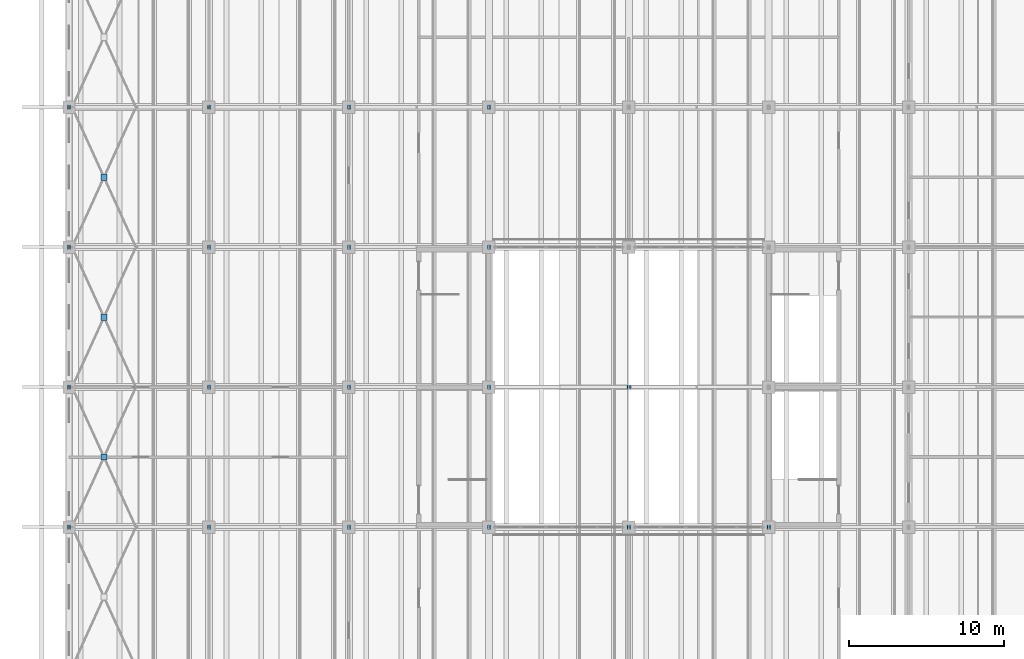
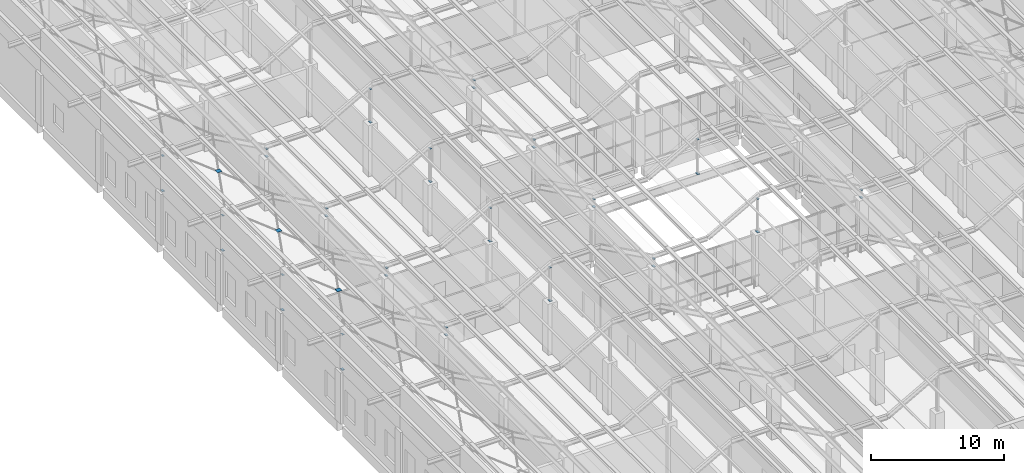
# One storey, part 344 of 437: 41 discrete accessories.
"""IFC4 building model written with IfcOpenShell, lengths in metres."""

from ifc_helpers import new_model, si_unit, direction, frame, origin, origin_2d, place, context, subcontext, project, spatial, rectangle, extrude, material, layer, layer_set, type_object, element, save


model = new_model("IFC4")

# Units and contexts
model_context = context("Model", 3, precision=1e-05, world=origin(), true_north=direction((0.0, 1.0)))
body_context = subcontext(model_context, "Body", "Model", "MODEL_VIEW")
ifc_project = project(units=[si_unit("LENGTHUNIT", "METRE"), si_unit("AREAUNIT", "SQUARE_METRE"), si_unit("VOLUMEUNIT", "CUBIC_METRE"), si_unit("PLANEANGLEUNIT", "RADIAN"), si_unit("MASSUNIT", "GRAM", prefix="KILO")], contexts=[model_context])

# Site, building, storey
site_placement = place(None, origin())
site = spatial("IfcSite", under=ifc_project, at=site_placement, CompositionType="ELEMENT")
building_placement = place(site_placement, origin())
building = spatial("IfcBuilding", under=site, at=building_placement, Name="Opaline Strait Convention Centre", CompositionType="ELEMENT")
storey_placement = place(building_placement, frame((0.0, 0.0, 11.5)))
storey = spatial("IfcBuildingStorey", under=building, at=storey_placement, Name="L02", CompositionType="ELEMENT", Elevation=11.5)

# Discrete accessories
ifc_material = material(Name="Steel Q355B", Category="steel")
ifc_layer_1 = layer(ifc_material, 0.02001953125)
ifc_layer_set_1 = layer_set([ifc_layer_1], Name="Steel Q355B")
discrete_accessory_type_1 = type_object("IfcDiscreteAccessoryType", Name="Roof post base plate 300 x 200 x 20", PredefinedType="ANCHORPLATE", material=ifc_layer_set_1)
for number, where, z_axis, x_axis, name in (
    (1, (9.0, 45.0, 4.669921875), (0.0, 0.0, 1.0), (1.0, 0.0, 0.0), "Roof post base plate at 9/45"),
    (2, (18.0, 45.0, 4.669921875), (0.0, 0.0, 1.0), (1.0, 0.0, 0.0), "Roof post base plate at 18/45"),
    (3, (27.0, 45.0, 4.669921875), (0.0, 0.0, 1.0), (1.0, 0.0, 0.0), "Roof post base plate at 27/45"),
    (4, (36.0, 45.0, 4.669921875), (0.0, 0.0, 1.0), (1.0, 0.0, 0.0), "Roof post base plate at 36/45"),
    (5, (45.0, 45.0, 4.669921875), (0.0, 0.0, 1.0), (1.0, 0.0, 0.0), "Roof post base plate at 45/45"),
    (6, (54.0, 45.0, 4.669921875), (0.0, 0.0, 1.0), (1.0, 0.0, 0.0), "Roof post base plate at 54/45"),
    (7, (9.0, 54.0, 4.669921875), (0.0, 0.0, 1.0), (1.0, 0.0, 0.0), "Roof post base plate at 9/54"),
    (8, (18.0, 54.0, 4.669921875), (0.0, 0.0, 1.0), (1.0, 0.0, 0.0), "Roof post base plate at 18/54"),
    (9, (27.0, 54.0, 4.669921875), (0.0, 0.0, 1.0), (1.0, 0.0, 0.0), "Roof post base plate at 27/54"),
    (10, (36.0, 54.0, 4.669921875), (0.0, 0.0, 1.0), (1.0, 0.0, 0.0), "Roof post base plate at 36/54"),
    (11, (45.0, 54.0, 4.550048828125), (0.0, 0.0, 1.0), (1.0, 0.0, 0.0), "Roof post base plate at 45/54"),
    (12, (9.0, 63.0, 4.669921875), (0.0, 0.0, 1.0), (1.0, 0.0, 0.0), "Roof post base plate at 9/63"),
    (13, (18.0, 63.0, 4.669921875), (0.0, 0.0, 1.0), (1.0, 0.0, 0.0), "Roof post base plate at 18/63"),
    (14, (27.0, 63.0, 4.669921875), (0.0, 0.0, 1.0), (1.0, 0.0, 0.0), "Roof post base plate at 27/63"),
    (15, (36.0, 63.0, 4.669921875), (0.0, 0.0, 1.0), (1.0, 0.0, 0.0), "Roof post base plate at 36/63"),
    (16, (9.0, 72.0, 4.669921875), (0.0, 0.0, 1.0), (1.0, 0.0, 0.0), "Roof post base plate at 9/72"),
    (17, (18.0, 72.0, 4.669921875), (0.0, 0.0, 1.0), (1.0, 0.0, 0.0), "Roof post base plate at 18/72"),
    (18, (27.0, 72.0, 4.669921875), (0.0, 0.0, 1.0), (1.0, 0.0, 0.0), "Roof post base plate at 27/72"),
    (19, (36.0, 72.0, 4.669921875), (0.0, 0.0, 1.0), (1.0, 0.0, 0.0), "Roof post base plate at 36/72"),
):
    element("IfcDiscreteAccessory", number, at=place(storey_placement, frame(where, z_axis=z_axis, x_axis=x_axis)), inside=storey, type_object=discrete_accessory_type_1, Name=name, PredefinedType="ANCHORPLATE", context=body_context, shape_type="SweptSolid", body=[
        extrude(rectangle(XDim=0.199951171875, YDim=0.300048828125, at=origin_2d()), origin(), (0.0, 0.0, 1.0), 0.02001953125),
    ])
ifc_layer_2 = layer(ifc_material, 0.014892578125)
ifc_layer_set_2 = layer_set([ifc_layer_2], Name="Steel Q355B")
discrete_accessory_type_2 = type_object("IfcDiscreteAccessoryType", Name="Roof post cap plate 250 x 150 x 15", PredefinedType="ANCHORPLATE", material=ifc_layer_set_2)
for number, where, z_axis, x_axis, name in (
    (20, (9.0, 45.0, 7.88525390625), (0.0, 0.0, 1.0), (1.0, 0.0, 0.0), "Roof post cap plate at 9/45"),
    (21, (18.0, 45.0, 5.38525390625), (0.0, 0.0, 1.0), (1.0, 0.0, 0.0), "Roof post cap plate at 18/45"),
    (22, (27.0, 45.0, 7.72119140625), (0.0, 0.0, 1.0), (1.0, 0.0, 0.0), "Roof post cap plate at 27/45"),
    (23, (36.0, 45.0, 5.38525390625), (0.0, 0.0, 1.0), (1.0, 0.0, 0.0), "Roof post cap plate at 36/45"),
    (24, (45.0, 45.0, 7.72119140625), (0.0, 0.0, 1.0), (1.0, 0.0, 0.0), "Roof post cap plate at 45/45"),
    (25, (54.0, 45.0, 5.38525390625), (0.0, 0.0, 1.0), (1.0, 0.0, 0.0), "Roof post cap plate at 54/45"),
    (26, (9.0, 54.0, 7.88525390625), (0.0, 0.0, 1.0), (1.0, 0.0, 0.0), "Roof post cap plate at 9/54"),
    (27, (18.0, 54.0, 5.38525390625), (0.0, 0.0, 1.0), (1.0, 0.0, 0.0), "Roof post cap plate at 18/54"),
    (28, (27.0, 54.0, 7.72119140625), (0.0, 0.0, 1.0), (1.0, 0.0, 0.0), "Roof post cap plate at 27/54"),
    (29, (36.0, 54.0, 5.38525390625), (0.0, 0.0, 1.0), (1.0, 0.0, 0.0), "Roof post cap plate at 36/54"),
    (30, (45.0, 54.0, 7.72119140625), (0.0, 0.0, 1.0), (1.0, 0.0, 0.0), "Roof post cap plate at 45/54"),
    (31, (9.0, 63.0, 7.88525390625), (0.0, 0.0, 1.0), (1.0, 0.0, 0.0), "Roof post cap plate at 9/63"),
    (32, (18.0, 63.0, 5.38525390625), (0.0, 0.0, 1.0), (1.0, 0.0, 0.0), "Roof post cap plate at 18/63"),
    (33, (27.0, 63.0, 7.72119140625), (0.0, 0.0, 1.0), (1.0, 0.0, 0.0), "Roof post cap plate at 27/63"),
    (34, (36.0, 63.0, 5.38525390625), (0.0, 0.0, 1.0), (1.0, 0.0, 0.0), "Roof post cap plate at 36/63"),
    (35, (9.0, 72.0, 7.88525390625), (0.0, 0.0, 1.0), (1.0, 0.0, 0.0), "Roof post cap plate at 9/72"),
    (36, (18.0, 72.0, 5.38525390625), (0.0, 0.0, 1.0), (1.0, 0.0, 0.0), "Roof post cap plate at 18/72"),
    (37, (27.0, 72.0, 7.72119140625), (0.0, 0.0, 1.0), (1.0, 0.0, 0.0), "Roof post cap plate at 27/72"),
    (38, (36.0, 72.0, 5.38525390625), (0.0, 0.0, 1.0), (1.0, 0.0, 0.0), "Roof post cap plate at 36/72"),
):
    element("IfcDiscreteAccessory", number, at=place(storey_placement, frame(where, z_axis=z_axis, x_axis=x_axis)), inside=storey, type_object=discrete_accessory_type_2, Name=name, PredefinedType="ANCHORPLATE", context=body_context, shape_type="SweptSolid", body=[
        extrude(rectangle(XDim=0.14990234375, YDim=0.25, at=origin_2d()), origin(), (0.0, 0.0, 1.0), 0.014892578125),
    ])
ifc_layer_3 = layer(ifc_material, 0.014892578125)
ifc_layer_set_3 = layer_set([ifc_layer_3], Name="Steel Q355B")
discrete_accessory_type_3 = type_object("IfcDiscreteAccessoryType", Name="X-brace gusset plate 400 x 400 x 15", PredefinedType="ANCHORPLATE", material=ifc_layer_set_3)
for number, where, z_axis, x_axis, name in (
    (39, (11.25, 49.5, 8.4140625), (0.0, 0.0, 1.0), (1.0, 0.0, 0.0), "X-brace gusset plate bay 5 at 9"),
    (40, (11.25, 58.5, 8.4140625), (0.0, 0.0, 1.0), (1.0, 0.0, 0.0), "X-brace gusset plate bay 6 at 9"),
    (41, (11.25, 67.5, 8.4140625), (0.0, 0.0, 1.0), (1.0, 0.0, 0.0), "X-brace gusset plate bay 7 at 9"),
):
    element("IfcDiscreteAccessory", number, at=place(storey_placement, frame(where, z_axis=z_axis, x_axis=x_axis)), inside=storey, type_object=discrete_accessory_type_3, Name=name, PredefinedType="ANCHORPLATE", context=body_context, shape_type="SweptSolid", body=[
        extrude(rectangle(XDim=0.39990234375, YDim=0.39990234375, at=origin_2d()), origin(), (0.0, 0.0, 1.0), 0.014892578125),
    ])

save(model, "model.ifc")
